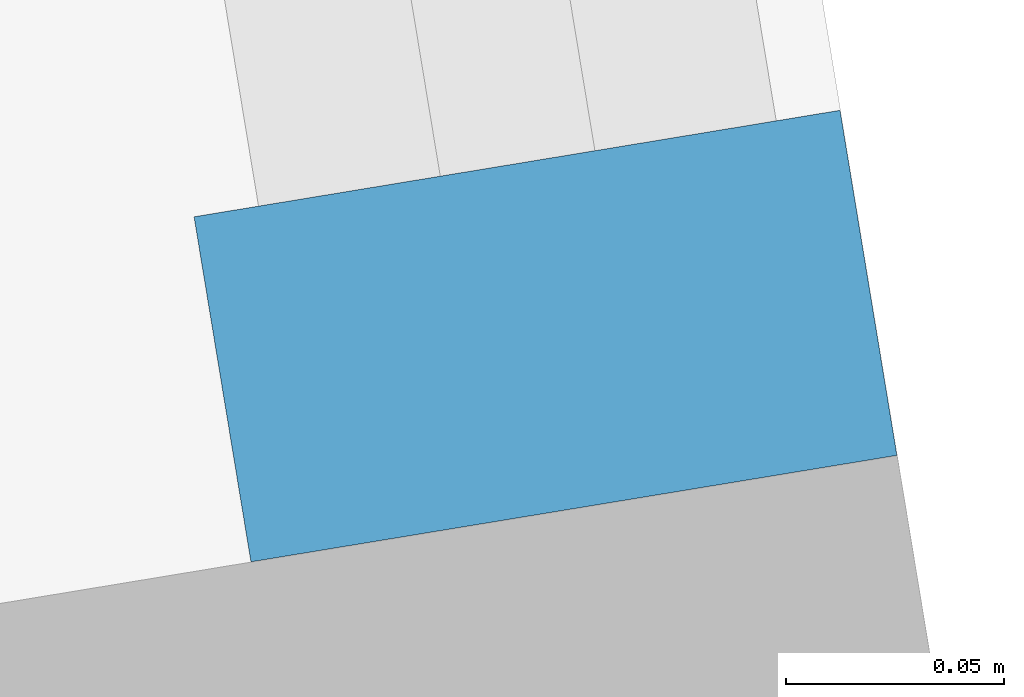
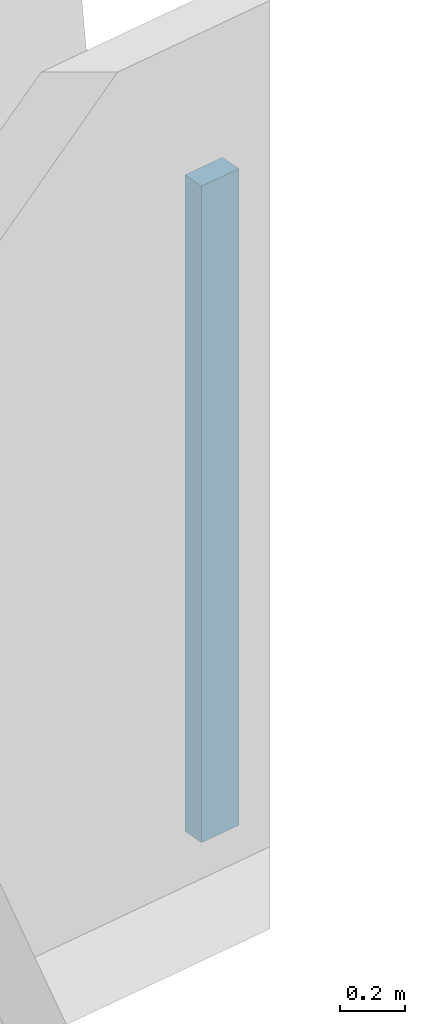
# One storey, part 5 of 21: 1 member, 1 element without a shape of its own.
"""IFC4 building model written with IfcOpenShell, lengths in metres."""

import ifcopenshell
import ifcopenshell.guid

model = None  # the IFC model being written
_history = None  # IfcOwnerHistory: only IFC2X3 demands one
_inside = {}  # id of a spatial element -> (the spatial element, [elements in it])
_under = {}  # id of a project, library or spatial element -> (it, [spatial elements below it])
_declared = {}  # id of a project -> (the project, [libraries it declares])
_typed = {}  # id of a type object -> (the type object, [elements of that type])
_made_of = {}  # id of a material, layer set ... -> (it, [elements and type objects made of it])


def new_model(schema):
    """Start an empty IFC model of exactly this schema.

    Asked for "IFC4X3", IfcOpenShell would pick the latest addendum, in which some entities
    have other attributes; the version numbers below select the first issue.
    IFC2X3 requires an IfcOwnerHistory on every rooted entity: one is made here for all.
    """
    global model, _history
    if schema == "IFC4X3":
        model = ifcopenshell.file(schema_version=(4, 3, 0, 0))
    else:
        model = ifcopenshell.file(schema=schema)
    _inside.clear()
    _under.clear()
    _declared.clear()
    _typed.clear()
    _made_of.clear()
    _history = None
    if model.schema == "IFC2X3":
        org = make("IfcOrganization", Name="unknown")
        user = make(
            "IfcPersonAndOrganization",
            ThePerson=make("IfcPerson", FamilyName="unknown"),
            TheOrganization=org,
        )
        app = make(
            "IfcApplication",
            ApplicationDeveloper=org,
            Version="unknown",
            ApplicationFullName="unknown",
            ApplicationIdentifier="unknown",
        )
        _history = make(
            "IfcOwnerHistory",
            OwningUser=user,
            OwningApplication=app,
            ChangeAction="ADDED",
            CreationDate=0,
        )
    return model


def make(cls, **values):
    """One entity of the class cls with the attributes given. An attribute that is None is left unset."""
    return model.create_entity(
        cls, **{name: value for name, value in values.items() if value is not None}
    )


def rooted(cls, **values):
    """An entity with a GlobalId (a new one), such as an element, a storey or a relation."""
    return make(cls, GlobalId=ifcopenshell.guid.new(), OwnerHistory=_history, **values)


def si_unit(unit_type, name, prefix=None):
    """IfcSIUnit, for example si_unit("LENGTHUNIT", "METRE", prefix="MILLI")."""
    return make("IfcSIUnit", UnitType=unit_type, Prefix=prefix, Name=name)


def assignment(units):
    """IfcUnitAssignment: the units of a project."""
    return None if units is None else make("IfcUnitAssignment", Units=units)


def point(xyz):
    """IfcCartesianPoint."""
    return None if xyz is None else make("IfcCartesianPoint", Coordinates=xyz)


def direction(xyz):
    """IfcDirection."""
    return None if xyz is None else make("IfcDirection", DirectionRatios=xyz)


def frame(location, z_axis=None, x_axis=None):
    """IfcAxis2Placement3D, a coordinate frame: its origin and axes. An axis left out is left unset."""
    return make(
        "IfcAxis2Placement3D",
        Location=point(location),
        Axis=direction(z_axis),
        RefDirection=direction(x_axis),
    )


def frame_2d(location, x_axis=None):
    """IfcAxis2Placement2D, a coordinate frame in the plane: its origin and x axis."""
    return make(
        "IfcAxis2Placement2D", Location=point(location), RefDirection=direction(x_axis)
    )


def origin():
    """The frame at (0, 0, 0) with its axes left unset."""
    return frame((0.0, 0.0, 0.0))


def origin_2d():
    """The frame at (0, 0) in the plane with its x axis left unset."""
    return frame_2d((0.0, 0.0))


def place(relative_to, where):
    """IfcLocalPlacement: puts the frame where relative to a parent placement (None: the world)."""
    return make(
        "IfcLocalPlacement", PlacementRelTo=relative_to, RelativePlacement=where
    )


def context(
    kind, dimensions, precision=None, world=None, true_north=None, identifier=None
):
    """IfcGeometricRepresentationContext, for example the 3D "Model" context."""
    return make(
        "IfcGeometricRepresentationContext",
        ContextIdentifier=identifier,
        ContextType=kind,
        CoordinateSpaceDimension=dimensions,
        Precision=precision,
        WorldCoordinateSystem=world,
        TrueNorth=true_north,
    )


def subcontext(parent, identifier, kind, view, scale=None):
    """IfcGeometricRepresentationSubContext, for example "Body" below "Model"."""
    return make(
        "IfcGeometricRepresentationSubContext",
        ContextIdentifier=identifier,
        ContextType=kind,
        ParentContext=parent,
        TargetScale=scale,
        TargetView=view,
    )


def project(units=None, contexts=None):
    """IfcProject with its units and contexts."""
    return rooted(
        "IfcProject",
        Name="project",
        RepresentationContexts=contexts,
        UnitsInContext=assignment(units),
    )


def spatial(cls, under=None, at=None, **own):
    """A site, building, storey or space (cls), placed at a placement, below another one or the project."""
    s = rooted(cls, ObjectPlacement=at, **own)
    if under is not None:
        _under.setdefault(under.id(), (under, []))[1].append(s)
    return s


def profile(cls, at=None, kind="AREA", **sizes):
    """A parametric profile (cls). Its sizes go by their IFC names, for example OverallWidth=200.0."""
    return make(cls, ProfileType=kind, Position=at, **sizes)


def rectangle(**sizes):
    """IfcRectangleProfileDef."""
    return profile("IfcRectangleProfileDef", **sizes)


def extrude(swept, where, along, depth):
    """IfcExtrudedAreaSolid: the profile swept, set in the frame where, extruded along a direction by depth."""
    return make(
        "IfcExtrudedAreaSolid",
        SweptArea=swept,
        Position=where,
        ExtrudedDirection=direction(along),
        Depth=depth,
    )


def shape(context_of_items, identifier, shape_type, items):
    """IfcShapeRepresentation: the items that make up one representation, for example the "Body"."""
    return make(
        "IfcShapeRepresentation",
        ContextOfItems=context_of_items,
        RepresentationIdentifier=identifier,
        RepresentationType=shape_type,
        Items=items,
    )


def material(Name=None, Category=None):
    """IfcMaterial."""
    return make("IfcMaterial", Name=Name, Category=Category)


def layer(
    of_material, thickness, ventilated=None, Name=None, Category=None, Priority=None
):
    """IfcMaterialLayer: one layer of a wall or slab, of a material (None: an air gap)."""
    return make(
        "IfcMaterialLayer",
        Material=of_material,
        LayerThickness=thickness,
        IsVentilated=ventilated,
        Name=Name,
        Category=Category,
        Priority=Priority,
    )


def layer_set(layers, Name=None):
    """IfcMaterialLayerSet."""
    return make("IfcMaterialLayerSet", MaterialLayers=layers, LayerSetName=Name)


def material_profile(
    of_material, cross_section, Name=None, Category=None, Priority=None
):
    """IfcMaterialProfile: a cross section and its material."""
    return make(
        "IfcMaterialProfile",
        Name=Name,
        Material=of_material,
        Profile=cross_section,
        Priority=Priority,
        Category=Category,
    )


def profile_set(profiles, Name=None, composite=None):
    """IfcMaterialProfileSet."""
    return make(
        "IfcMaterialProfileSet",
        Name=Name,
        MaterialProfiles=profiles,
        CompositeProfile=composite,
    )


def made_of(thing, what):
    """Note that an element or type object is made of a material, layer set ...; save() writes the relation."""
    if what is not None:
        _made_of.setdefault(what.id(), (what, []))[1].append(thing)
    return thing


def type_object(cls, material=None, **own):
    """A type object (cls), such as IfcWallType, which elements share."""
    return made_of(rooted(cls, **own), material)


def element(
    cls,
    number,
    at=None,
    inside=None,
    cuts=None,
    type_object=None,
    material=None,
    context=None,
    identifier="Body",
    shape_type=None,
    held_by="IfcProductDefinitionShape",
    body=None,
    shapes=None,
    **own,
):
    """One element of the class cls, such as IfcWall. Its Tag is "e" and its number.

    at: its placement. inside: the storey or other place that contains it. cuts: it is an
    opening in that element (IfcRelVoidsElement). A single representation is given by context,
    identifier, shape_type and body (its items); several are given by shapes. held_by: the class
    of the entity that holds the representations. save() writes the other relations.
    """
    e = rooted(cls, Tag="e%d" % number, ObjectPlacement=at, **own)
    if body is not None:
        shapes = [shape(context, identifier, shape_type, body)]
    if shapes is not None:
        e.Representation = make(held_by, Representations=shapes)
    if inside is not None:
        _inside.setdefault(inside.id(), (inside, []))[1].append(e)
    if cuts is not None:
        rooted(
            "IfcRelVoidsElement", RelatingBuildingElement=cuts, RelatedOpeningElement=e
        )
    if type_object is not None:
        _typed.setdefault(type_object.id(), (type_object, []))[1].append(e)
    return made_of(e, material)


def aggregate(whole, parts):
    """IfcRelAggregates: a whole, such as a stair, and the parts it consists of."""
    return rooted("IfcRelAggregates", RelatingObject=whole, RelatedObjects=parts)


def save(model, path):
    """Write the relations noted so far, then the file.

    IfcRelAggregates (storeys below a building ...), IfcRelContainedInSpatialStructure (elements
    in a storey), IfcRelDefinesByType, IfcRelAssociatesMaterial and IfcRelDeclares: one each for
    every whole, place, type object, material and project.
    """
    for whole, parts in _under.values():
        aggregate(whole, parts)
    for where, things in _inside.values():
        rooted(
            "IfcRelContainedInSpatialStructure",
            RelatedElements=things,
            RelatingStructure=where,
        )
    for kind, things in _typed.values():
        rooted("IfcRelDefinesByType", RelatedObjects=things, RelatingType=kind)
    for what, things in _made_of.values():
        rooted("IfcRelAssociatesMaterial", RelatedObjects=things, RelatingMaterial=what)
    for by, libraries in _declared.values():
        rooted("IfcRelDeclares", RelatingContext=by, RelatedDefinitions=libraries)
    model.write(path)


model = new_model("IFC4")

# Units and contexts
model_context = context("Model", 3, precision=1e-05, world=origin(), true_north=direction((0.0, 1.0)))
body_context = subcontext(model_context, "Body", "Model", "MODEL_VIEW")
ifc_project = project(units=[si_unit("LENGTHUNIT", "METRE"), si_unit("AREAUNIT", "SQUARE_METRE"), si_unit("VOLUMEUNIT", "CUBIC_METRE"), si_unit("PLANEANGLEUNIT", "RADIAN"), si_unit("MASSUNIT", "GRAM", prefix="KILO")], contexts=[model_context])

# Site, building, storey
site_placement = place(None, origin())
site = spatial("IfcSite", under=ifc_project, at=site_placement, CompositionType="ELEMENT")
building_placement = place(site_placement, origin())
building = spatial("IfcBuilding", under=site, at=building_placement, Name="Verdalira Terraces Hotel", CompositionType="ELEMENT")
storey_placement = place(building_placement, frame((0.0, 0.0, 194.0)))
storey = spatial("IfcBuildingStorey", under=building, at=storey_placement, Name="L47", CompositionType="ELEMENT", Elevation=194.0)

# Curtain wall, member
ifc_material_1 = material(Name="Clear glass", Category="glass")
ifc_layer = layer(ifc_material_1, 0.14990234375)
ifc_layer_set = layer_set([ifc_layer], Name="CW3 curtain wall")
curtain_wall_type = type_object("IfcCurtainWallType", Name="CW3 curtain wall", PredefinedType="NOTDEFINED", material=ifc_layer_set)
curtain_wall_placement = place(storey_placement, origin())
curtain_wall = element("IfcCurtainWall", 1, at=curtain_wall_placement, inside=storey, type_object=curtain_wall_type, Name="CW3 curtain wall L47 edge 33", PredefinedType="NOTDEFINED")
ifc_material_2 = material(Name="Terracotta frame", Category="masonry")
ifc_material_profile = material_profile(ifc_material_2, rectangle(XDim=0.080078, YDim=0.149902, at=origin_2d()), Name="MU 80x150")
ifc_profile_set = profile_set([ifc_material_profile], Name="Terracotta frame")
member_type = type_object("IfcMemberType", Name="CW3 mullion 80x150", PredefinedType="MULLION", material=ifc_profile_set)
member_placement = place(storey_placement, frame((28.84082, 2.007324, 0.0), z_axis=(0.0, 0.0, 1.0), x_axis=(-0.162637165, 0.986685944, 0.0)))
member = element("IfcMember", 2, at=member_placement, type_object=member_type, Name="CW3 mullion", PredefinedType="MULLION", context=body_context, shape_type="SweptSolid", body=[
    extrude(rectangle(XDim=0.080078, YDim=0.149902, at=origin_2d()), origin(), (0.0, 0.0, 1.0), 2.475098),
])
aggregate(curtain_wall, [member])

save(model, "model.ifc")
